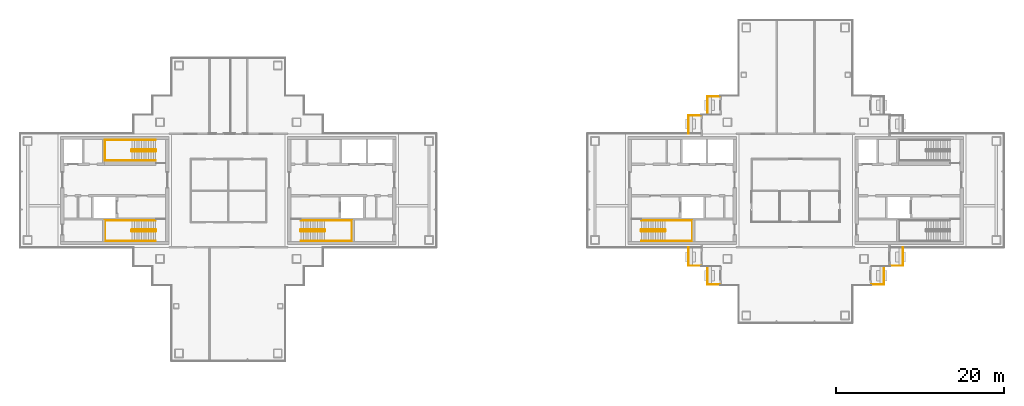
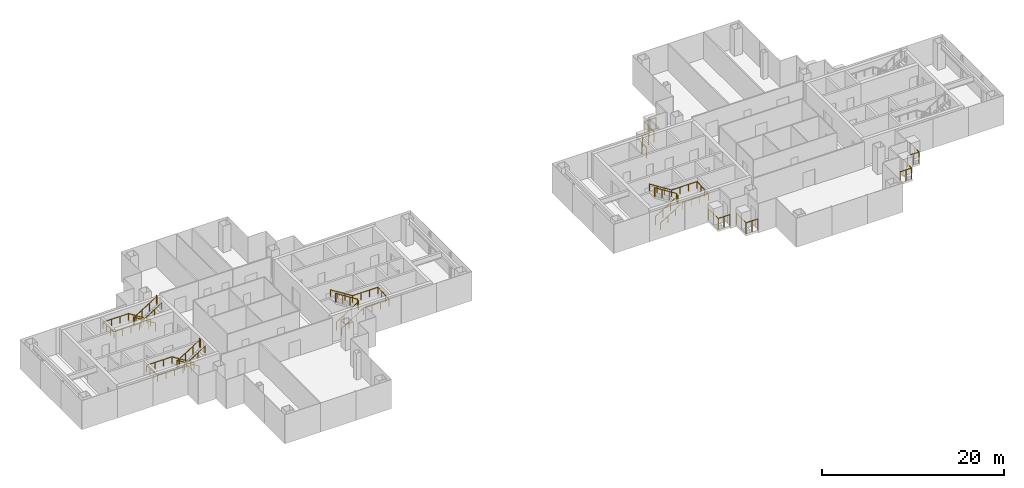
# One storey, part 14 of 16: 14 railings.
"""IFC4 building model written with IfcOpenShell, lengths in metres."""

from ifc_helpers import new_model, si_unit, direction, frame, origin, origin_2d, place, context, subcontext, project, spatial, circle, extrude, material, type_object, element, save


model = new_model("IFC4")

# Units and contexts
model_context = context("Model", 3, precision=1e-05, world=origin(), true_north=direction((0.0, 1.0)))
body_context = subcontext(model_context, "Body", "Model", "MODEL_VIEW")
ifc_project = project(units=[si_unit("LENGTHUNIT", "METRE"), si_unit("AREAUNIT", "SQUARE_METRE"), si_unit("VOLUMEUNIT", "CUBIC_METRE"), si_unit("PLANEANGLEUNIT", "RADIAN"), si_unit("MASSUNIT", "GRAM", prefix="KILO")], contexts=[model_context])

# Site, building, storey
site_placement = place(None, origin())
site = spatial("IfcSite", under=ifc_project, at=site_placement, CompositionType="ELEMENT")
building_placement = place(site_placement, origin())
building = spatial("IfcBuilding", under=site, at=building_placement, Name="Shamsa Quay Exchange Towers", CompositionType="ELEMENT")
storey_placement = place(building_placement, frame((0.0, 0.0, 186.60009765625)))
storey = spatial("IfcBuildingStorey", under=building, at=storey_placement, Name="L44", CompositionType="ELEMENT", Elevation=186.60009765625)

# Railings
ifc_material_1 = material(Name="Steel S355, black powder-coated", Category="steel")
railing_type_1 = type_object("IfcRailingType", Name="BALCONY GUARD 1500", PredefinedType="GUARDRAIL", material=ifc_material_1)
for number, where, name in (
    (1, (24.72900390625, 11.199951171875, 0.0), "Balcony guard T2-PKEN L44"),
    (2, (22.47900390625, 8.949951171875, 0.0), "Balcony guard T2-PKEN L44"),
):
    element("IfcRailing", number, at=place(storey_placement, frame(where)), inside=storey, type_object=railing_type_1, Name=name, PredefinedType="GUARDRAIL", context=body_context, shape_type="SweptSolid", body=[
        extrude(circle(Radius=0.02392578125, at=origin_2d()), frame((0.0, 0.0, 1.47607421875), z_axis=(-1.0, 0.0, 0.0), x_axis=(0.0, -1.0, 0.0)), (0.0, 0.0, 1.0), 1.47900390625),
        extrude(circle(Radius=0.02392578125, at=origin_2d()), frame((-1.47900390625, 0.0, 1.47607421875), z_axis=(0.0, -1.0, 0.0), x_axis=(1.0, 0.0, 0.0)), (0.0, 0.0, 1.0), 2.161865234375),
        extrude(circle(Radius=0.02099609375, at=origin_2d()), origin(), (0.0, 0.0, 1.0), 1.451904296875),
        extrude(circle(Radius=0.02099609375, at=origin_2d()), frame((-0.739501953125, 0.0, 0.0)), (0.0, 0.0, 1.0), 1.451904296875),
        extrude(circle(Radius=0.02099609375, at=origin_2d()), frame((-1.47900390625, 0.0, 0.0)), (0.0, 0.0, 1.0), 1.451904296875),
        extrude(circle(Radius=0.02099609375, at=origin_2d()), frame((-1.47900390625, -1.0810546875, 0.0)), (0.0, 0.0, 1.0), 1.451904296875),
        extrude(circle(Radius=0.02099609375, at=origin_2d()), frame((-1.47900390625, -2.161865234375, 0.0)), (0.0, 0.0, 1.0), 1.451904296875),
    ])
for number, where, name in (
    (3, (21.0, -6.7880859375, 0.0), "Balcony guard T2-PKWN L44"),
    (4, (23.25, -9.0380859375, 0.0), "Balcony guard T2-PKWN L44"),
):
    element("IfcRailing", number, at=place(storey_placement, frame(where)), inside=storey, type_object=railing_type_1, Name=name, PredefinedType="GUARDRAIL", context=body_context, shape_type="SweptSolid", body=[
        extrude(circle(Radius=0.02392578125, at=origin_2d()), frame((0.0, 0.0, 1.47607421875), z_axis=(0.0, -1.0, 0.0), x_axis=(1.0, 0.0, 0.0)), (0.0, 0.0, 1.0), 2.161865234375),
        extrude(circle(Radius=0.02392578125, at=origin_2d()), frame((0.0, -2.161865234375, 1.47607421875), z_axis=(1.0, 0.0, 0.0), x_axis=(0.0, 1.0, 0.0)), (0.0, 0.0, 1.0), 1.47900390625),
        extrude(circle(Radius=0.02099609375, at=origin_2d()), origin(), (0.0, 0.0, 1.0), 1.451904296875),
        extrude(circle(Radius=0.02099609375, at=origin_2d()), frame((0.0, -1.0810546875, 0.0)), (0.0, 0.0, 1.0), 1.451904296875),
        extrude(circle(Radius=0.02099609375, at=origin_2d()), frame((0.0, -2.161865234375, 0.0)), (0.0, 0.0, 1.0), 1.451904296875),
        extrude(circle(Radius=0.02099609375, at=origin_2d()), frame((0.739501953125, -2.161865234375, 0.0)), (0.0, 0.0, 1.0), 1.451904296875),
        extrude(circle(Radius=0.02099609375, at=origin_2d()), frame((1.47900390625, -2.161865234375, 0.0)), (0.0, 0.0, 1.0), 1.451904296875),
    ])
for number, where, name in (
    (5, (42.77099609375, -11.199951171875, 0.0), "Balcony guard T2-PKWS L44"),
    (6, (45.02099609375, -8.949951171875, 0.0), "Balcony guard T2-PKWS L44"),
):
    element("IfcRailing", number, at=place(storey_placement, frame(where)), inside=storey, type_object=railing_type_1, Name=name, PredefinedType="GUARDRAIL", context=body_context, shape_type="SweptSolid", body=[
        extrude(circle(Radius=0.02392578125, at=origin_2d()), frame((0.0, 0.0, 1.47607421875), z_axis=(1.0, 0.0, 0.0), x_axis=(0.0, 1.0, 0.0)), (0.0, 0.0, 1.0), 1.47900390625),
        extrude(circle(Radius=0.02392578125, at=origin_2d()), frame((1.47900390625, 0.0, 1.47607421875), z_axis=(0.0, 1.0, 0.0), x_axis=(-1.0, 0.0, 0.0)), (0.0, 0.0, 1.0), 2.161865234375),
        extrude(circle(Radius=0.02099609375, at=origin_2d()), origin(), (0.0, 0.0, 1.0), 1.451904296875),
        extrude(circle(Radius=0.02099609375, at=origin_2d()), frame((0.739501953125, 0.0, 0.0)), (0.0, 0.0, 1.0), 1.451904296875),
        extrude(circle(Radius=0.02099609375, at=origin_2d()), frame((1.47900390625, 0.0, 0.0)), (0.0, 0.0, 1.0), 1.451904296875),
        extrude(circle(Radius=0.02099609375, at=origin_2d()), frame((1.47900390625, 1.0810546875, 0.0)), (0.0, 0.0, 1.0), 1.451904296875),
        extrude(circle(Radius=0.02099609375, at=origin_2d()), frame((1.47900390625, 2.161865234375, 0.0)), (0.0, 0.0, 1.0), 1.451904296875),
    ])
ifc_material_2 = material(Name="Stainless steel", Category="steel")
railing_type_2 = type_object("IfcRailingType", Name="STAIR GUARD 1100", PredefinedType="GUARDRAIL", material=ifc_material_2)
railing_1_placement = place(storey_placement, frame((-25.10009765625, -4.89990234375, 0.17724609375)))
element("IfcRailing", 7, at=railing_1_placement, inside=storey, type_object=railing_type_2, Name="L44 ST1 stair guard 1", PredefinedType="GUARDRAIL", context=body_context, shape_type="SweptSolid", body=[
    extrude(circle(Radius=0.02392578125, at=origin_2d()), frame((0.0, 0.0, 1.076171875), z_axis=(0.844908973607, 0.0, 0.534910110503), x_axis=(0.0, 1.0, 0.0)), (0.0, 0.0, 1.0), 3.31396484375),
    extrude(circle(Radius=0.02392578125, at=origin_2d()), frame((2.800048828125, 0.0, 2.8486328125), z_axis=(0.708833529934, 0.705375805398, 0.0), x_axis=(-0.705375805398, 0.708833529934, 0.0)), (0.0, 0.0, 1.0), 0.070556640625),
    extrude(circle(Radius=0.02392578125, at=origin_2d()), frame((2.85009765625, 0.0498046875, 2.8486328125), z_axis=(0.0, 1.0, 0.0), x_axis=(-1.0, 0.0, 0.0)), (0.0, 0.0, 1.0), 0.150146484375),
    extrude(circle(Radius=0.02392578125, at=origin_2d()), frame((2.85009765625, 0.199951171875, 2.8486328125), z_axis=(-0.262233686654, 0.262233686654, 0.928691007369), x_axis=(-0.707106781187, -0.707106781187, 0.0)), (0.0, 0.0, 1.0), 0.19091796875),
    extrude(circle(Radius=0.02392578125, at=origin_2d()), frame((2.800048828125, 0.25, 3.02587890625), z_axis=(-0.844908973607, 0.0, 0.534910110503), x_axis=(0.0, -1.0, 0.0)), (0.0, 0.0, 1.0), 3.31396484375),
    extrude(circle(Radius=0.02392578125, at=origin_2d()), frame((0.0, 0.25, 4.798828125), z_axis=(-0.24142163986, -0.970420317083, 0.0), x_axis=(0.970420317083, -0.24142163986, 0.0)), (0.0, 0.0, 1.0), 0.206298828125),
    extrude(circle(Radius=0.02392578125, at=origin_2d()), frame((-0.0498046875, 0.0498046875, 4.798828125), z_axis=(0.0, 1.0, 0.0), x_axis=(-1.0, 0.0, 0.0)), (0.0, 0.0, 1.0), 0.150146484375),
    extrude(circle(Radius=0.02099609375, at=origin_2d()), origin(), (0.0, 0.0, 1.0), 1.052001953125),
    extrude(circle(Radius=0.02099609375, at=origin_2d()), frame((0.933349609375, 0.0, 0.5908203125)), (0.0, 0.0, 1.0), 1.052001953125),
    extrude(circle(Radius=0.02099609375, at=origin_2d()), frame((1.86669921875, 0.0, 1.181884765625)), (0.0, 0.0, 1.0), 1.052001953125),
    extrude(circle(Radius=0.02099609375, at=origin_2d()), frame((2.800048828125, 0.0, 1.772705078125)), (0.0, 0.0, 1.0), 1.052001953125),
    extrude(circle(Radius=0.02099609375, at=origin_2d()), frame((2.85009765625, 0.0498046875, 1.772705078125)), (0.0, 0.0, 1.0), 1.052001953125),
    extrude(circle(Radius=0.02099609375, at=origin_2d()), frame((2.85009765625, 0.199951171875, 1.772705078125)), (0.0, 0.0, 1.0), 1.052001953125),
    extrude(circle(Radius=0.02099609375, at=origin_2d()), frame((2.800048828125, 0.25, 1.949951171875)), (0.0, 0.0, 1.0), 1.052001953125),
    extrude(circle(Radius=0.02099609375, at=origin_2d()), frame((1.86669921875, 0.25, 2.540771484375)), (0.0, 0.0, 1.0), 1.052001953125),
    extrude(circle(Radius=0.02099609375, at=origin_2d()), frame((0.933349609375, 0.25, 3.1318359375)), (0.0, 0.0, 1.0), 1.052001953125),
    extrude(circle(Radius=0.02099609375, at=origin_2d()), frame((0.0, 0.25, 3.72265625)), (0.0, 0.0, 1.0), 1.052001953125),
    extrude(circle(Radius=0.02099609375, at=origin_2d()), frame((-0.0498046875, 0.0498046875, 3.72265625)), (0.0, 0.0, 1.0), 1.052001953125),
    extrude(circle(Radius=0.02099609375, at=origin_2d()), frame((-0.0498046875, 0.199951171875, 3.72265625)), (0.0, 0.0, 1.0), 1.052001953125),
])
railing_2_placement = place(storey_placement, frame((-42.39990234375, -4.64990234375, 0.17724609375)))
element("IfcRailing", 8, at=railing_2_placement, inside=storey, type_object=railing_type_2, Name="L44 ST2 stair guard 1", PredefinedType="GUARDRAIL", context=body_context, shape_type="SweptSolid", body=[
    extrude(circle(Radius=0.02392578125, at=origin_2d()), frame((0.0, 0.0, 1.076171875), z_axis=(-0.844908973607, 0.0, 0.534910110503), x_axis=(0.0, -1.0, 0.0)), (0.0, 0.0, 1.0), 3.31396484375),
    extrude(circle(Radius=0.02392578125, at=origin_2d()), frame((-2.800048828125, 0.0, 2.8486328125), z_axis=(-0.707106781187, -0.707106781187, 0.0), x_axis=(0.707106781187, -0.707106781187, 0.0)), (0.0, 0.0, 1.0), 0.07080078125),
    extrude(circle(Radius=0.02392578125, at=origin_2d()), frame((-2.85009765625, -0.050048828125, 2.8486328125), z_axis=(0.0, -1.0, 0.0), x_axis=(1.0, 0.0, 0.0)), (0.0, 0.0, 1.0), 0.150146484375),
    extrude(circle(Radius=0.02392578125, at=origin_2d()), frame((-2.85009765625, -0.2001953125, 2.8486328125), z_axis=(0.262321481514, -0.261041864531, 0.929001929653), x_axis=(0.705375805398, 0.708833529934, 0.0)), (0.0, 0.0, 1.0), 0.190673828125),
    extrude(circle(Radius=0.02392578125, at=origin_2d()), frame((-2.800048828125, -0.25, 3.02587890625), z_axis=(0.844908973607, 0.0, 0.534910110503), x_axis=(0.0, 1.0, 0.0)), (0.0, 0.0, 1.0), 3.31396484375),
    extrude(circle(Radius=0.02392578125, at=origin_2d()), frame((0.0, -0.25, 4.798828125), z_axis=(0.241699205484, 0.970351222016, 0.0), x_axis=(-0.970351222016, 0.241699205484, 0.0)), (0.0, 0.0, 1.0), 0.2060546875),
    extrude(circle(Radius=0.02392578125, at=origin_2d()), frame((0.0498046875, -0.050048828125, 4.798828125), z_axis=(0.0, -1.0, 0.0), x_axis=(1.0, 0.0, 0.0)), (0.0, 0.0, 1.0), 0.150146484375),
    extrude(circle(Radius=0.02099609375, at=origin_2d()), origin(), (0.0, 0.0, 1.0), 1.052001953125),
    extrude(circle(Radius=0.02099609375, at=origin_2d()), frame((-0.933349609375, 0.0, 0.5908203125)), (0.0, 0.0, 1.0), 1.052001953125),
    extrude(circle(Radius=0.02099609375, at=origin_2d()), frame((-1.86669921875, 0.0, 1.181884765625)), (0.0, 0.0, 1.0), 1.052001953125),
    extrude(circle(Radius=0.02099609375, at=origin_2d()), frame((-2.800048828125, 0.0, 1.772705078125)), (0.0, 0.0, 1.0), 1.052001953125),
    extrude(circle(Radius=0.02099609375, at=origin_2d()), frame((-2.85009765625, -0.050048828125, 1.772705078125)), (0.0, 0.0, 1.0), 1.052001953125),
    extrude(circle(Radius=0.02099609375, at=origin_2d()), frame((-2.85009765625, -0.2001953125, 1.772705078125)), (0.0, 0.0, 1.0), 1.052001953125),
    extrude(circle(Radius=0.02099609375, at=origin_2d()), frame((-2.800048828125, -0.25, 1.949951171875)), (0.0, 0.0, 1.0), 1.052001953125),
    extrude(circle(Radius=0.02099609375, at=origin_2d()), frame((-1.86669921875, -0.25, 2.540771484375)), (0.0, 0.0, 1.0), 1.052001953125),
    extrude(circle(Radius=0.02099609375, at=origin_2d()), frame((-0.933349609375, -0.25, 3.1318359375)), (0.0, 0.0, 1.0), 1.052001953125),
    extrude(circle(Radius=0.02099609375, at=origin_2d()), frame((0.0, -0.25, 3.72265625)), (0.0, 0.0, 1.0), 1.052001953125),
    extrude(circle(Radius=0.02099609375, at=origin_2d()), frame((0.0498046875, -0.050048828125, 3.72265625)), (0.0, 0.0, 1.0), 1.052001953125),
    extrude(circle(Radius=0.02099609375, at=origin_2d()), frame((0.0498046875, -0.2001953125, 3.72265625)), (0.0, 0.0, 1.0), 1.052001953125),
])
railing_3_placement = place(storey_placement, frame((-42.39990234375, 4.89990234375, 0.17724609375)))
element("IfcRailing", 9, at=railing_3_placement, inside=storey, type_object=railing_type_2, Name="L44 ST3 stair guard 1", PredefinedType="GUARDRAIL", context=body_context, shape_type="SweptSolid", body=[
    extrude(circle(Radius=0.02392578125, at=origin_2d()), frame((0.0, 0.0, 1.076171875), z_axis=(-0.844908973607, 0.0, 0.534910110503), x_axis=(0.0, -1.0, 0.0)), (0.0, 0.0, 1.0), 3.31396484375),
    extrude(circle(Radius=0.02392578125, at=origin_2d()), frame((-2.800048828125, 0.0, 2.8486328125), z_axis=(-0.708833529934, -0.705375805398, 0.0), x_axis=(0.705375805398, -0.708833529934, 0.0)), (0.0, 0.0, 1.0), 0.070556640625),
    extrude(circle(Radius=0.02392578125, at=origin_2d()), frame((-2.85009765625, -0.0498046875, 2.8486328125), z_axis=(0.0, -1.0, 0.0), x_axis=(1.0, 0.0, 0.0)), (0.0, 0.0, 1.0), 0.150146484375),
    extrude(circle(Radius=0.02392578125, at=origin_2d()), frame((-2.85009765625, -0.199951171875, 2.8486328125), z_axis=(0.262233686654, -0.262233686654, 0.928691007369), x_axis=(0.707106781187, 0.707106781187, 0.0)), (0.0, 0.0, 1.0), 0.19091796875),
    extrude(circle(Radius=0.02392578125, at=origin_2d()), frame((-2.800048828125, -0.25, 3.02587890625), z_axis=(0.844908973607, 0.0, 0.534910110503), x_axis=(0.0, 1.0, 0.0)), (0.0, 0.0, 1.0), 3.31396484375),
    extrude(circle(Radius=0.02392578125, at=origin_2d()), frame((0.0, -0.25, 4.798828125), z_axis=(0.24142163986, 0.970420317083, 0.0), x_axis=(-0.970420317083, 0.24142163986, 0.0)), (0.0, 0.0, 1.0), 0.206298828125),
    extrude(circle(Radius=0.02392578125, at=origin_2d()), frame((0.0498046875, -0.0498046875, 4.798828125), z_axis=(0.0, -1.0, 0.0), x_axis=(1.0, 0.0, 0.0)), (0.0, 0.0, 1.0), 0.150146484375),
    extrude(circle(Radius=0.02099609375, at=origin_2d()), origin(), (0.0, 0.0, 1.0), 1.052001953125),
    extrude(circle(Radius=0.02099609375, at=origin_2d()), frame((-0.933349609375, 0.0, 0.5908203125)), (0.0, 0.0, 1.0), 1.052001953125),
    extrude(circle(Radius=0.02099609375, at=origin_2d()), frame((-1.86669921875, 0.0, 1.181884765625)), (0.0, 0.0, 1.0), 1.052001953125),
    extrude(circle(Radius=0.02099609375, at=origin_2d()), frame((-2.800048828125, 0.0, 1.772705078125)), (0.0, 0.0, 1.0), 1.052001953125),
    extrude(circle(Radius=0.02099609375, at=origin_2d()), frame((-2.85009765625, -0.0498046875, 1.772705078125)), (0.0, 0.0, 1.0), 1.052001953125),
    extrude(circle(Radius=0.02099609375, at=origin_2d()), frame((-2.85009765625, -0.199951171875, 1.772705078125)), (0.0, 0.0, 1.0), 1.052001953125),
    extrude(circle(Radius=0.02099609375, at=origin_2d()), frame((-2.800048828125, -0.25, 1.949951171875)), (0.0, 0.0, 1.0), 1.052001953125),
    extrude(circle(Radius=0.02099609375, at=origin_2d()), frame((-1.86669921875, -0.25, 2.540771484375)), (0.0, 0.0, 1.0), 1.052001953125),
    extrude(circle(Radius=0.02099609375, at=origin_2d()), frame((-0.933349609375, -0.25, 3.1318359375)), (0.0, 0.0, 1.0), 1.052001953125),
    extrude(circle(Radius=0.02099609375, at=origin_2d()), frame((0.0, -0.25, 3.72265625)), (0.0, 0.0, 1.0), 1.052001953125),
    extrude(circle(Radius=0.02099609375, at=origin_2d()), frame((0.0498046875, -0.0498046875, 3.72265625)), (0.0, 0.0, 1.0), 1.052001953125),
    extrude(circle(Radius=0.02099609375, at=origin_2d()), frame((0.0498046875, -0.199951171875, 3.72265625)), (0.0, 0.0, 1.0), 1.052001953125),
])
railing_4_placement = place(storey_placement, frame((15.39990234375, -4.89990234375, 0.17724609375)))
element("IfcRailing", 10, at=railing_4_placement, inside=storey, type_object=railing_type_2, Name="L44 ST4 stair guard 1", PredefinedType="GUARDRAIL", context=body_context, shape_type="SweptSolid", body=[
    extrude(circle(Radius=0.02392578125, at=origin_2d()), frame((0.0, 0.0, 1.076171875), z_axis=(0.844908973607, 0.0, 0.534910110503), x_axis=(0.0, 1.0, 0.0)), (0.0, 0.0, 1.0), 3.31396484375),
    extrude(circle(Radius=0.02392578125, at=origin_2d()), frame((2.800048828125, 0.0, 2.8486328125), z_axis=(0.708833529934, 0.705375805398, 0.0), x_axis=(-0.705375805398, 0.708833529934, 0.0)), (0.0, 0.0, 1.0), 0.070556640625),
    extrude(circle(Radius=0.02392578125, at=origin_2d()), frame((2.85009765625, 0.0498046875, 2.8486328125), z_axis=(0.0, 1.0, 0.0), x_axis=(-1.0, 0.0, 0.0)), (0.0, 0.0, 1.0), 0.150146484375),
    extrude(circle(Radius=0.02392578125, at=origin_2d()), frame((2.85009765625, 0.199951171875, 2.8486328125), z_axis=(-0.262233686654, 0.262233686654, 0.928691007369), x_axis=(-0.707106781187, -0.707106781187, 0.0)), (0.0, 0.0, 1.0), 0.19091796875),
    extrude(circle(Radius=0.02392578125, at=origin_2d()), frame((2.800048828125, 0.25, 3.02587890625), z_axis=(-0.844908973607, 0.0, 0.534910110503), x_axis=(0.0, -1.0, 0.0)), (0.0, 0.0, 1.0), 3.31396484375),
    extrude(circle(Radius=0.02392578125, at=origin_2d()), frame((0.0, 0.25, 4.798828125), z_axis=(-0.24142163986, -0.970420317083, 0.0), x_axis=(0.970420317083, -0.24142163986, 0.0)), (0.0, 0.0, 1.0), 0.206298828125),
    extrude(circle(Radius=0.02392578125, at=origin_2d()), frame((-0.0498046875, 0.0498046875, 4.798828125), z_axis=(0.0, 1.0, 0.0), x_axis=(-1.0, 0.0, 0.0)), (0.0, 0.0, 1.0), 0.150146484375),
    extrude(circle(Radius=0.02099609375, at=origin_2d()), origin(), (0.0, 0.0, 1.0), 1.052001953125),
    extrude(circle(Radius=0.02099609375, at=origin_2d()), frame((0.933349609375, 0.0, 0.5908203125)), (0.0, 0.0, 1.0), 1.052001953125),
    extrude(circle(Radius=0.02099609375, at=origin_2d()), frame((1.86669921875, 0.0, 1.181884765625)), (0.0, 0.0, 1.0), 1.052001953125),
    extrude(circle(Radius=0.02099609375, at=origin_2d()), frame((2.800048828125, 0.0, 1.772705078125)), (0.0, 0.0, 1.0), 1.052001953125),
    extrude(circle(Radius=0.02099609375, at=origin_2d()), frame((2.85009765625, 0.0498046875, 1.772705078125)), (0.0, 0.0, 1.0), 1.052001953125),
    extrude(circle(Radius=0.02099609375, at=origin_2d()), frame((2.85009765625, 0.199951171875, 1.772705078125)), (0.0, 0.0, 1.0), 1.052001953125),
    extrude(circle(Radius=0.02099609375, at=origin_2d()), frame((2.800048828125, 0.25, 1.949951171875)), (0.0, 0.0, 1.0), 1.052001953125),
    extrude(circle(Radius=0.02099609375, at=origin_2d()), frame((1.86669921875, 0.25, 2.540771484375)), (0.0, 0.0, 1.0), 1.052001953125),
    extrude(circle(Radius=0.02099609375, at=origin_2d()), frame((0.933349609375, 0.25, 3.1318359375)), (0.0, 0.0, 1.0), 1.052001953125),
    extrude(circle(Radius=0.02099609375, at=origin_2d()), frame((0.0, 0.25, 3.72265625)), (0.0, 0.0, 1.0), 1.052001953125),
    extrude(circle(Radius=0.02099609375, at=origin_2d()), frame((-0.0498046875, 0.0498046875, 3.72265625)), (0.0, 0.0, 1.0), 1.052001953125),
    extrude(circle(Radius=0.02099609375, at=origin_2d()), frame((-0.0498046875, 0.199951171875, 3.72265625)), (0.0, 0.0, 1.0), 1.052001953125),
])
railing_type_3 = type_object("IfcRailingType", Name="STAIR HANDRAIL 900", PredefinedType="HANDRAIL", material=ifc_material_2)
railing_5_placement = place(storey_placement, frame((-25.10009765625, -6.0, 0.17724609375)))
element("IfcRailing", 11, at=railing_5_placement, inside=storey, type_object=railing_type_3, Name="L44 ST1 stair handrail 1", PredefinedType="HANDRAIL", context=body_context, shape_type="SweptSolid", body=[
    extrude(circle(Radius=0.02392578125, at=origin_2d()), frame((0.0, 0.0, 0.8759765625), z_axis=(0.844908973607, 0.0, 0.534910110503), x_axis=(0.0, 1.0, 0.0)), (0.0, 0.0, 1.0), 3.31396484375),
    extrude(circle(Radius=0.02392578125, at=origin_2d()), frame((2.800048828125, 0.0, 2.6484375), z_axis=(1.0, 0.0, 0.0), x_axis=(0.0, 1.0, 0.0)), (0.0, 0.0, 1.0), 3.25),
    extrude(circle(Radius=0.02392578125, at=origin_2d()), frame((6.050048828125, 0.0, 2.6484375), z_axis=(0.0, 0.997393199914, 0.07215819264), x_axis=(-1.0, 0.0, 0.0)), (0.0, 0.0, 1.0), 2.456298828125),
    extrude(circle(Radius=0.02392578125, at=origin_2d()), frame((6.050048828125, 2.449951171875, 2.82568359375), z_axis=(-1.0, 0.0, 0.0), x_axis=(0.0, -1.0, 0.0)), (0.0, 0.0, 1.0), 3.25),
    extrude(circle(Radius=0.02392578125, at=origin_2d()), frame((2.800048828125, 2.449951171875, 2.82568359375), z_axis=(-0.844908973607, 0.0, 0.534910110503), x_axis=(0.0, -1.0, 0.0)), (0.0, 0.0, 1.0), 3.31396484375),
    extrude(circle(Radius=0.02099609375, at=origin_2d()), origin(), (0.0, 0.0, 1.0), 0.851806640625),
    extrude(circle(Radius=0.02099609375, at=origin_2d()), frame((0.933349609375, 0.0, 0.5908203125)), (0.0, 0.0, 1.0), 0.851806640625),
    extrude(circle(Radius=0.02099609375, at=origin_2d()), frame((1.86669921875, 0.0, 1.181884765625)), (0.0, 0.0, 1.0), 0.851806640625),
    extrude(circle(Radius=0.02099609375, at=origin_2d()), frame((2.800048828125, 0.0, 1.772705078125)), (0.0, 0.0, 1.0), 0.851806640625),
    extrude(circle(Radius=0.02099609375, at=origin_2d()), frame((3.88330078125, 0.0, 1.772705078125)), (0.0, 0.0, 1.0), 0.851806640625),
    extrude(circle(Radius=0.02099609375, at=origin_2d()), frame((4.966796875, 0.0, 1.772705078125)), (0.0, 0.0, 1.0), 0.851806640625),
    extrude(circle(Radius=0.02099609375, at=origin_2d()), frame((6.050048828125, 0.0, 1.772705078125)), (0.0, 0.0, 1.0), 0.851806640625),
    extrude(circle(Radius=0.02099609375, at=origin_2d()), frame((6.050048828125, 0.816650390625, 1.831787109375)), (0.0, 0.0, 1.0), 0.851806640625),
    extrude(circle(Radius=0.02099609375, at=origin_2d()), frame((6.050048828125, 1.63330078125, 1.890869140625)), (0.0, 0.0, 1.0), 0.851806640625),
    extrude(circle(Radius=0.02099609375, at=origin_2d()), frame((6.050048828125, 2.449951171875, 1.949951171875)), (0.0, 0.0, 1.0), 0.851806640625),
    extrude(circle(Radius=0.02099609375, at=origin_2d()), frame((4.966796875, 2.449951171875, 1.949951171875)), (0.0, 0.0, 1.0), 0.851806640625),
    extrude(circle(Radius=0.02099609375, at=origin_2d()), frame((3.88330078125, 2.449951171875, 1.949951171875)), (0.0, 0.0, 1.0), 0.851806640625),
    extrude(circle(Radius=0.02099609375, at=origin_2d()), frame((2.800048828125, 2.449951171875, 1.949951171875)), (0.0, 0.0, 1.0), 0.851806640625),
    extrude(circle(Radius=0.02099609375, at=origin_2d()), frame((1.86669921875, 2.449951171875, 2.540771484375)), (0.0, 0.0, 1.0), 0.851806640625),
    extrude(circle(Radius=0.02099609375, at=origin_2d()), frame((0.933349609375, 2.449951171875, 3.1318359375)), (0.0, 0.0, 1.0), 0.851806640625),
    extrude(circle(Radius=0.02099609375, at=origin_2d()), frame((0.0, 2.449951171875, 3.72265625)), (0.0, 0.0, 1.0), 0.851806640625),
])
railing_6_placement = place(storey_placement, frame((-42.39990234375, -3.550048828125, 0.17724609375)))
element("IfcRailing", 12, at=railing_6_placement, inside=storey, type_object=railing_type_3, Name="L44 ST2 stair handrail 1", PredefinedType="HANDRAIL", context=body_context, shape_type="SweptSolid", body=[
    extrude(circle(Radius=0.02392578125, at=origin_2d()), frame((0.0, 0.0, 0.8759765625), z_axis=(-0.844908973607, 0.0, 0.534910110503), x_axis=(0.0, -1.0, 0.0)), (0.0, 0.0, 1.0), 3.31396484375),
    extrude(circle(Radius=0.02392578125, at=origin_2d()), frame((-2.800048828125, 0.0, 2.6484375), z_axis=(-1.0, 0.0, 0.0), x_axis=(0.0, -1.0, 0.0)), (0.0, 0.0, 1.0), 3.25),
    extrude(circle(Radius=0.02392578125, at=origin_2d()), frame((-6.050048828125, 0.0, 2.6484375), z_axis=(0.0, -0.997393199914, 0.07215819264), x_axis=(1.0, 0.0, 0.0)), (0.0, 0.0, 1.0), 2.456298828125),
    extrude(circle(Radius=0.02392578125, at=origin_2d()), frame((-6.050048828125, -2.449951171875, 2.82568359375), z_axis=(1.0, 0.0, 0.0), x_axis=(0.0, 1.0, 0.0)), (0.0, 0.0, 1.0), 3.25),
    extrude(circle(Radius=0.02392578125, at=origin_2d()), frame((-2.800048828125, -2.449951171875, 2.82568359375), z_axis=(0.844908973607, 0.0, 0.534910110503), x_axis=(0.0, 1.0, 0.0)), (0.0, 0.0, 1.0), 3.31396484375),
    extrude(circle(Radius=0.02099609375, at=origin_2d()), origin(), (0.0, 0.0, 1.0), 0.851806640625),
    extrude(circle(Radius=0.02099609375, at=origin_2d()), frame((-0.933349609375, 0.0, 0.5908203125)), (0.0, 0.0, 1.0), 0.851806640625),
    extrude(circle(Radius=0.02099609375, at=origin_2d()), frame((-1.86669921875, 0.0, 1.181884765625)), (0.0, 0.0, 1.0), 0.851806640625),
    extrude(circle(Radius=0.02099609375, at=origin_2d()), frame((-2.800048828125, 0.0, 1.772705078125)), (0.0, 0.0, 1.0), 0.851806640625),
    extrude(circle(Radius=0.02099609375, at=origin_2d()), frame((-3.88330078125, 0.0, 1.772705078125)), (0.0, 0.0, 1.0), 0.851806640625),
    extrude(circle(Radius=0.02099609375, at=origin_2d()), frame((-4.966796875, 0.0, 1.772705078125)), (0.0, 0.0, 1.0), 0.851806640625),
    extrude(circle(Radius=0.02099609375, at=origin_2d()), frame((-6.050048828125, 0.0, 1.772705078125)), (0.0, 0.0, 1.0), 0.851806640625),
    extrude(circle(Radius=0.02099609375, at=origin_2d()), frame((-6.050048828125, -0.816650390625, 1.831787109375)), (0.0, 0.0, 1.0), 0.851806640625),
    extrude(circle(Radius=0.02099609375, at=origin_2d()), frame((-6.050048828125, -1.63330078125, 1.890869140625)), (0.0, 0.0, 1.0), 0.851806640625),
    extrude(circle(Radius=0.02099609375, at=origin_2d()), frame((-6.050048828125, -2.449951171875, 1.949951171875)), (0.0, 0.0, 1.0), 0.851806640625),
    extrude(circle(Radius=0.02099609375, at=origin_2d()), frame((-4.966796875, -2.449951171875, 1.949951171875)), (0.0, 0.0, 1.0), 0.851806640625),
    extrude(circle(Radius=0.02099609375, at=origin_2d()), frame((-3.88330078125, -2.449951171875, 1.949951171875)), (0.0, 0.0, 1.0), 0.851806640625),
    extrude(circle(Radius=0.02099609375, at=origin_2d()), frame((-2.800048828125, -2.449951171875, 1.949951171875)), (0.0, 0.0, 1.0), 0.851806640625),
    extrude(circle(Radius=0.02099609375, at=origin_2d()), frame((-1.86669921875, -2.449951171875, 2.540771484375)), (0.0, 0.0, 1.0), 0.851806640625),
    extrude(circle(Radius=0.02099609375, at=origin_2d()), frame((-0.933349609375, -2.449951171875, 3.1318359375)), (0.0, 0.0, 1.0), 0.851806640625),
    extrude(circle(Radius=0.02099609375, at=origin_2d()), frame((0.0, -2.449951171875, 3.72265625)), (0.0, 0.0, 1.0), 0.851806640625),
])
railing_7_placement = place(storey_placement, frame((-42.39990234375, 6.0, 0.17724609375)))
element("IfcRailing", 13, at=railing_7_placement, inside=storey, type_object=railing_type_3, Name="L44 ST3 stair handrail 1", PredefinedType="HANDRAIL", context=body_context, shape_type="SweptSolid", body=[
    extrude(circle(Radius=0.02392578125, at=origin_2d()), frame((0.0, 0.0, 0.8759765625), z_axis=(-0.844908973607, 0.0, 0.534910110503), x_axis=(0.0, -1.0, 0.0)), (0.0, 0.0, 1.0), 3.31396484375),
    extrude(circle(Radius=0.02392578125, at=origin_2d()), frame((-2.800048828125, 0.0, 2.6484375), z_axis=(-1.0, 0.0, 0.0), x_axis=(0.0, -1.0, 0.0)), (0.0, 0.0, 1.0), 3.25),
    extrude(circle(Radius=0.02392578125, at=origin_2d()), frame((-6.050048828125, 0.0, 2.6484375), z_axis=(0.0, -0.997393199914, 0.07215819264), x_axis=(1.0, 0.0, 0.0)), (0.0, 0.0, 1.0), 2.456298828125),
    extrude(circle(Radius=0.02392578125, at=origin_2d()), frame((-6.050048828125, -2.449951171875, 2.82568359375), z_axis=(1.0, 0.0, 0.0), x_axis=(0.0, 1.0, 0.0)), (0.0, 0.0, 1.0), 3.25),
    extrude(circle(Radius=0.02392578125, at=origin_2d()), frame((-2.800048828125, -2.449951171875, 2.82568359375), z_axis=(0.844908973607, 0.0, 0.534910110503), x_axis=(0.0, 1.0, 0.0)), (0.0, 0.0, 1.0), 3.31396484375),
    extrude(circle(Radius=0.02099609375, at=origin_2d()), origin(), (0.0, 0.0, 1.0), 0.851806640625),
    extrude(circle(Radius=0.02099609375, at=origin_2d()), frame((-0.933349609375, 0.0, 0.5908203125)), (0.0, 0.0, 1.0), 0.851806640625),
    extrude(circle(Radius=0.02099609375, at=origin_2d()), frame((-1.86669921875, 0.0, 1.181884765625)), (0.0, 0.0, 1.0), 0.851806640625),
    extrude(circle(Radius=0.02099609375, at=origin_2d()), frame((-2.800048828125, 0.0, 1.772705078125)), (0.0, 0.0, 1.0), 0.851806640625),
    extrude(circle(Radius=0.02099609375, at=origin_2d()), frame((-3.88330078125, 0.0, 1.772705078125)), (0.0, 0.0, 1.0), 0.851806640625),
    extrude(circle(Radius=0.02099609375, at=origin_2d()), frame((-4.966796875, 0.0, 1.772705078125)), (0.0, 0.0, 1.0), 0.851806640625),
    extrude(circle(Radius=0.02099609375, at=origin_2d()), frame((-6.050048828125, 0.0, 1.772705078125)), (0.0, 0.0, 1.0), 0.851806640625),
    extrude(circle(Radius=0.02099609375, at=origin_2d()), frame((-6.050048828125, -0.816650390625, 1.831787109375)), (0.0, 0.0, 1.0), 0.851806640625),
    extrude(circle(Radius=0.02099609375, at=origin_2d()), frame((-6.050048828125, -1.63330078125, 1.890869140625)), (0.0, 0.0, 1.0), 0.851806640625),
    extrude(circle(Radius=0.02099609375, at=origin_2d()), frame((-6.050048828125, -2.449951171875, 1.949951171875)), (0.0, 0.0, 1.0), 0.851806640625),
    extrude(circle(Radius=0.02099609375, at=origin_2d()), frame((-4.966796875, -2.449951171875, 1.949951171875)), (0.0, 0.0, 1.0), 0.851806640625),
    extrude(circle(Radius=0.02099609375, at=origin_2d()), frame((-3.88330078125, -2.449951171875, 1.949951171875)), (0.0, 0.0, 1.0), 0.851806640625),
    extrude(circle(Radius=0.02099609375, at=origin_2d()), frame((-2.800048828125, -2.449951171875, 1.949951171875)), (0.0, 0.0, 1.0), 0.851806640625),
    extrude(circle(Radius=0.02099609375, at=origin_2d()), frame((-1.86669921875, -2.449951171875, 2.540771484375)), (0.0, 0.0, 1.0), 0.851806640625),
    extrude(circle(Radius=0.02099609375, at=origin_2d()), frame((-0.933349609375, -2.449951171875, 3.1318359375)), (0.0, 0.0, 1.0), 0.851806640625),
    extrude(circle(Radius=0.02099609375, at=origin_2d()), frame((0.0, -2.449951171875, 3.72265625)), (0.0, 0.0, 1.0), 0.851806640625),
])
railing_8_placement = place(storey_placement, frame((15.39990234375, -6.0, 0.17724609375)))
element("IfcRailing", 14, at=railing_8_placement, inside=storey, type_object=railing_type_3, Name="L44 ST4 stair handrail 1", PredefinedType="HANDRAIL", context=body_context, shape_type="SweptSolid", body=[
    extrude(circle(Radius=0.02392578125, at=origin_2d()), frame((0.0, 0.0, 0.8759765625), z_axis=(0.844908973607, 0.0, 0.534910110503), x_axis=(0.0, 1.0, 0.0)), (0.0, 0.0, 1.0), 3.31396484375),
    extrude(circle(Radius=0.02392578125, at=origin_2d()), frame((2.800048828125, 0.0, 2.6484375), z_axis=(1.0, 0.0, 0.0), x_axis=(0.0, 1.0, 0.0)), (0.0, 0.0, 1.0), 3.25),
    extrude(circle(Radius=0.02392578125, at=origin_2d()), frame((6.050048828125, 0.0, 2.6484375), z_axis=(0.0, 0.997393199914, 0.07215819264), x_axis=(-1.0, 0.0, 0.0)), (0.0, 0.0, 1.0), 2.456298828125),
    extrude(circle(Radius=0.02392578125, at=origin_2d()), frame((6.050048828125, 2.449951171875, 2.82568359375), z_axis=(-1.0, 0.0, 0.0), x_axis=(0.0, -1.0, 0.0)), (0.0, 0.0, 1.0), 3.25),
    extrude(circle(Radius=0.02392578125, at=origin_2d()), frame((2.800048828125, 2.449951171875, 2.82568359375), z_axis=(-0.844908973607, 0.0, 0.534910110503), x_axis=(0.0, -1.0, 0.0)), (0.0, 0.0, 1.0), 3.31396484375),
    extrude(circle(Radius=0.02099609375, at=origin_2d()), origin(), (0.0, 0.0, 1.0), 0.851806640625),
    extrude(circle(Radius=0.02099609375, at=origin_2d()), frame((0.933349609375, 0.0, 0.5908203125)), (0.0, 0.0, 1.0), 0.851806640625),
    extrude(circle(Radius=0.02099609375, at=origin_2d()), frame((1.86669921875, 0.0, 1.181884765625)), (0.0, 0.0, 1.0), 0.851806640625),
    extrude(circle(Radius=0.02099609375, at=origin_2d()), frame((2.800048828125, 0.0, 1.772705078125)), (0.0, 0.0, 1.0), 0.851806640625),
    extrude(circle(Radius=0.02099609375, at=origin_2d()), frame((3.88330078125, 0.0, 1.772705078125)), (0.0, 0.0, 1.0), 0.851806640625),
    extrude(circle(Radius=0.02099609375, at=origin_2d()), frame((4.966796875, 0.0, 1.772705078125)), (0.0, 0.0, 1.0), 0.851806640625),
    extrude(circle(Radius=0.02099609375, at=origin_2d()), frame((6.050048828125, 0.0, 1.772705078125)), (0.0, 0.0, 1.0), 0.851806640625),
    extrude(circle(Radius=0.02099609375, at=origin_2d()), frame((6.050048828125, 0.816650390625, 1.831787109375)), (0.0, 0.0, 1.0), 0.851806640625),
    extrude(circle(Radius=0.02099609375, at=origin_2d()), frame((6.050048828125, 1.63330078125, 1.890869140625)), (0.0, 0.0, 1.0), 0.851806640625),
    extrude(circle(Radius=0.02099609375, at=origin_2d()), frame((6.050048828125, 2.449951171875, 1.949951171875)), (0.0, 0.0, 1.0), 0.851806640625),
    extrude(circle(Radius=0.02099609375, at=origin_2d()), frame((4.966796875, 2.449951171875, 1.949951171875)), (0.0, 0.0, 1.0), 0.851806640625),
    extrude(circle(Radius=0.02099609375, at=origin_2d()), frame((3.88330078125, 2.449951171875, 1.949951171875)), (0.0, 0.0, 1.0), 0.851806640625),
    extrude(circle(Radius=0.02099609375, at=origin_2d()), frame((2.800048828125, 2.449951171875, 1.949951171875)), (0.0, 0.0, 1.0), 0.851806640625),
    extrude(circle(Radius=0.02099609375, at=origin_2d()), frame((1.86669921875, 2.449951171875, 2.540771484375)), (0.0, 0.0, 1.0), 0.851806640625),
    extrude(circle(Radius=0.02099609375, at=origin_2d()), frame((0.933349609375, 2.449951171875, 3.1318359375)), (0.0, 0.0, 1.0), 0.851806640625),
    extrude(circle(Radius=0.02099609375, at=origin_2d()), frame((0.0, 2.449951171875, 3.72265625)), (0.0, 0.0, 1.0), 0.851806640625),
])

save(model, "model.ifc")
